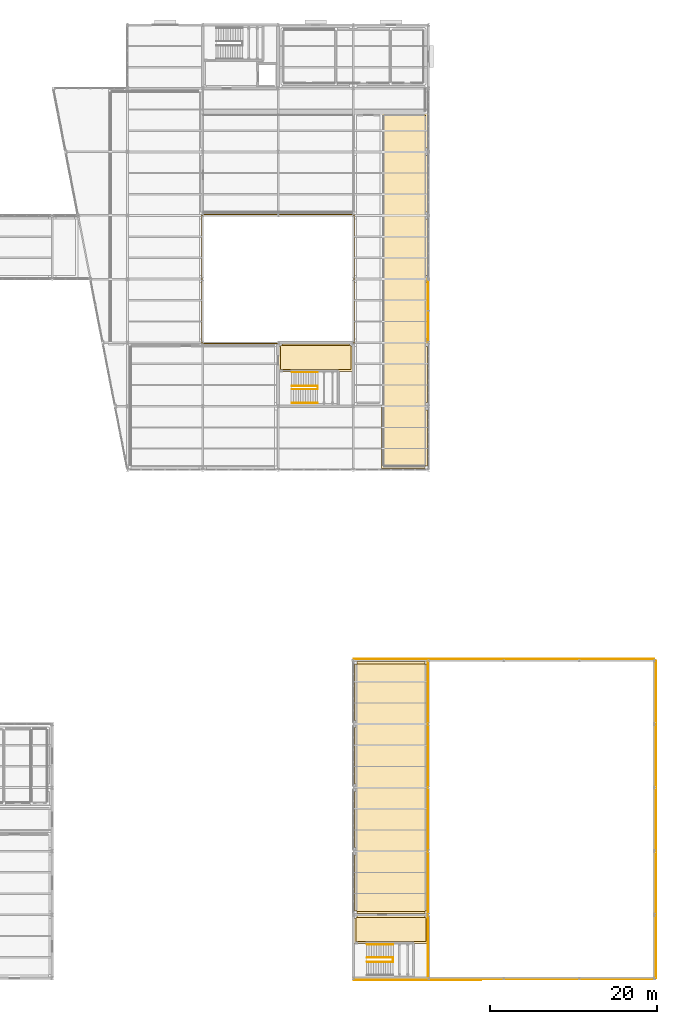
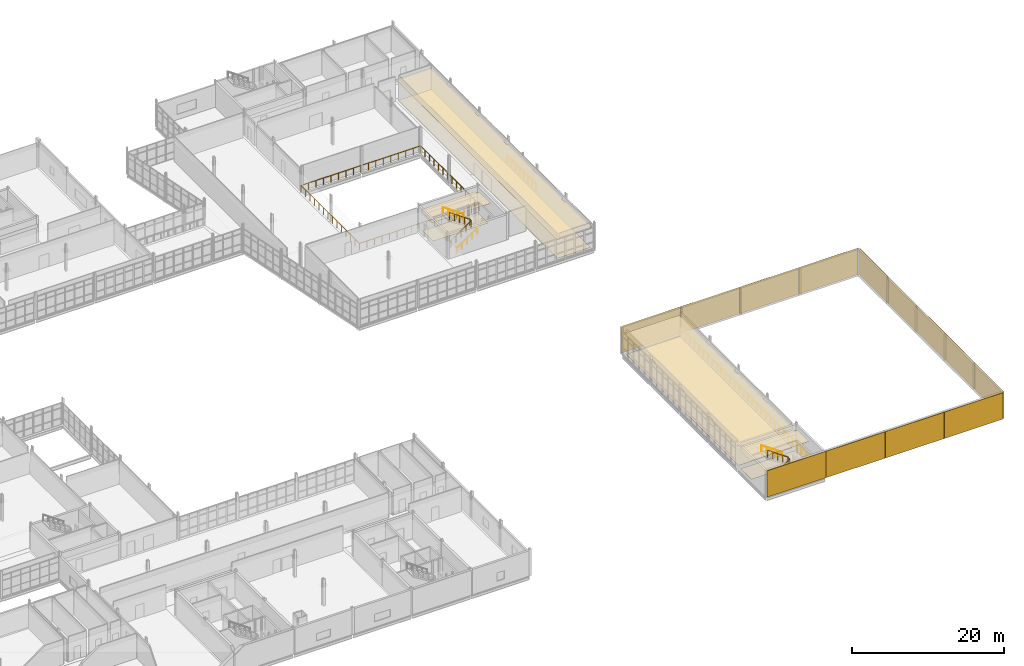
# One storey, part 173 of 174: 21 coverings, 8 railings.
"""IFC4 building model written with IfcOpenShell, lengths in metres."""

from ifc_helpers import new_model, si_unit, direction, frame, origin, origin_2d, place, context, subcontext, project, spatial, polyline, rectangle, circle, outline, extrude, material, layer, layer_set, type_object, element, save


model = new_model("IFC4")

# Units and contexts
model_context = context("Model", 3, precision=1e-05, world=origin(), true_north=direction((0.0, 1.0)))
body_context = subcontext(model_context, "Body", "Model", "MODEL_VIEW")
ifc_project = project(units=[si_unit("LENGTHUNIT", "METRE"), si_unit("AREAUNIT", "SQUARE_METRE"), si_unit("VOLUMEUNIT", "CUBIC_METRE"), si_unit("PLANEANGLEUNIT", "RADIAN"), si_unit("MASSUNIT", "GRAM", prefix="KILO")], contexts=[model_context])

# Site, building, storey
site_placement = place(None, origin())
site = spatial("IfcSite", under=ifc_project, at=site_placement, CompositionType="ELEMENT")
building_placement = place(site_placement, origin())
building = spatial("IfcBuilding", under=site, at=building_placement, Name="Caisbarro Railhouse Central Library", CompositionType="ELEMENT")
storey_placement = place(building_placement, frame((0.0, 0.0, 5.0400390625)))
storey = spatial("IfcBuildingStorey", under=building, at=storey_placement, Name="L01", CompositionType="ELEMENT", Elevation=5.0400390625)

# Coverings
ifc_material_1 = material(Name="Extruded architectural terracotta rainscreen", Category="masonry")
ifc_layer_1 = layer(ifc_material_1, 0.054931640625, Name="Extruded architectural terracotta rainscreen")
ifc_layer_set_1 = layer_set([ifc_layer_1], Name="Extruded architectural terracotta rainscreen")
covering_type_1 = type_object("IfcCoveringType", Name="CLD-TER01", PredefinedType="CLADDING", material=ifc_layer_set_1)
for number, where, z_axis, x_axis, name in (
    (1, (180.17138671875, 3.800048828125, 0.02978515625), (0.0, 0.0, 1.0), (0.0, 1.0, 0.0), "TER01 facade cladding L01-043"),
    (2, (180.17138671875, 11.39990234375, 0.02978515625), (0.0, 0.0, 1.0), (0.0, 1.0, 0.0), "TER01 facade cladding L01-044"),
    (3, (180.17138671875, 19.0, 0.02978515625), (0.0, 0.0, 1.0), (0.0, 1.0, 0.0), "TER01 facade cladding L01-045"),
    (4, (180.17138671875, 26.60009765625, 0.02978515625), (0.0, 0.0, 1.0), (0.0, 1.0, 0.0), "TER01 facade cladding L01-046"),
    (5, (180.17138671875, 34.199951171875, 0.02978515625), (0.0, 0.0, 1.0), (0.0, 1.0, 0.0), "TER01 facade cladding L01-047"),
):
    element("IfcCovering", number, at=place(storey_placement, frame(where, z_axis=z_axis, x_axis=x_axis)), inside=storey, type_object=covering_type_1, Name=name, PredefinedType="CLADDING", context=body_context, shape_type="SweptSolid", body=[
        extrude(rectangle(XDim=7.56005859375, YDim=0.054931640625, at=origin_2d()), origin(), (0.0, 0.0, 1.0), 4.260009765625),
    ])
for number, where, z_axis, x_axis, name in (
    (6, (148.5, -0.17138671875, 0.02978515625), (0.0, 0.0, 1.0), (1.0, 0.0, 0.0), "TER01 facade cladding L01-048"),
    (7, (148.5, 38.17138671875, 0.02978515625), (0.0, 0.0, 1.0), (1.0, 0.0, 0.0), "TER01 facade cladding L01-049"),
    (8, (157.5, -0.17138671875, 0.02978515625), (0.0, 0.0, 1.0), (1.0, 0.0, 0.0), "TER01 facade cladding L01-050"),
    (9, (157.5, 38.17138671875, 0.02978515625), (0.0, 0.0, 1.0), (1.0, 0.0, 0.0), "TER01 facade cladding L01-051"),
    (10, (166.5, -0.17138671875, 0.02978515625), (0.0, 0.0, 1.0), (1.0, 0.0, 0.0), "TER01 facade cladding L01-052"),
    (11, (166.5, 38.17138671875, 0.02978515625), (0.0, 0.0, 1.0), (1.0, 0.0, 0.0), "TER01 facade cladding L01-053"),
    (12, (175.5, -0.17138671875, 0.02978515625), (0.0, 0.0, 1.0), (1.0, 0.0, 0.0), "TER01 facade cladding L01-054"),
    (13, (175.5, 38.17138671875, 0.02978515625), (0.0, 0.0, 1.0), (1.0, 0.0, 0.0), "TER01 facade cladding L01-055"),
):
    element("IfcCovering", number, at=place(storey_placement, frame(where, z_axis=z_axis, x_axis=x_axis)), inside=storey, type_object=covering_type_1, Name=name, PredefinedType="CLADDING", context=body_context, shape_type="SweptSolid", body=[
        extrude(rectangle(XDim=8.9599609375, YDim=0.054931640625, at=origin_2d()), origin(), (0.0, 0.0, 1.0), 4.260009765625),
    ])
ifc_material_2 = material(Name="Perforated mineral-fibre acoustic ceiling tile")
ifc_layer_2 = layer(ifc_material_2, 0.01806640625, Name="Perforated mineral-fibre acoustic ceiling tile")
ifc_layer_set_2 = layer_set([ifc_layer_2], Name="Perforated mineral-fibre acoustic ceiling tile")
covering_type_2 = type_object("IfcCoveringType", Name="COV-CL01", PredefinedType="CEILING", material=ifc_layer_set_2)
covering_1_placement = place(storey_placement, frame((0.0, 0.0, 3.25)))
element("IfcCovering", 14, at=covering_1_placement, inside=storey, type_object=covering_type_2, Name="CL01 acoustic ceiling Stair Lobby K7", PredefinedType="CEILING", context=body_context, shape_type="SweptSolid", body=[
    extrude(outline(polyline([(135.43994140625, 75.56005859375), (135.43994140625, 75.909912109375), (143.56005859375, 75.909912109375), (143.56005859375, 75.56005859375), (143.9599609375, 75.56005859375), (143.9599609375, 72.5400390625), (135.0400390625, 72.5400390625), (135.0400390625, 75.56005859375), (135.43994140625, 75.56005859375)])), origin(), (0.0, 0.0, 1.0), 0.01806640625),
])
covering_2_placement = place(storey_placement, frame((0.0, 0.0, 3.25)))
element("IfcCovering", 15, at=covering_2_placement, inside=storey, type_object=covering_type_2, Name="CL01 acoustic ceiling Stair Lobby K9", PredefinedType="CEILING", context=body_context, shape_type="SweptSolid", body=[
    extrude(outline(polyline([(144.43994140625, 7.159912109375), (144.43994140625, 7.510009765625), (152.56005859375, 7.510009765625), (152.56005859375, 7.159912109375), (152.9599609375, 7.159912109375), (152.9599609375, 4.139892578125), (144.0400390625, 4.139892578125), (144.0400390625, 7.159912109375), (144.43994140625, 7.159912109375)])), origin(), (0.0, 0.0, 1.0), 0.01806640625),
])
covering_3_placement = place(storey_placement, frame((0.0, 0.0, 3.25)))
element("IfcCovering", 16, at=covering_3_placement, inside=storey, type_object=covering_type_2, Name="CL01 acoustic ceiling Graduate Study Carrels L01", PredefinedType="CEILING", context=body_context, shape_type="SweptSolid", body=[
    extrude(outline(polyline([(152.860107421875, 75.56005859375), (152.860107421875, 68.840087890625), (152.56005859375, 68.840087890625), (152.56005859375, 67.9599609375), (152.860107421875, 67.9599609375), (152.860107421875, 61.239990234375), (152.56005859375, 61.239990234375), (152.56005859375, 60.93994140625), (147.340087890625, 60.93994140625), (147.340087890625, 103.4599609375), (152.860107421875, 103.4599609375), (152.860107421875, 99.239990234375), (152.56005859375, 99.239990234375), (152.56005859375, 98.360107421875), (152.860107421875, 98.360107421875), (152.860107421875, 91.639892578125), (152.56005859375, 91.639892578125), (152.56005859375, 90.760009765625), (152.860107421875, 90.760009765625), (152.860107421875, 84.0400390625), (152.56005859375, 84.0400390625), (152.56005859375, 83.159912109375), (152.860107421875, 83.159912109375), (152.860107421875, 76.43994140625), (152.56005859375, 76.43994140625), (152.56005859375, 75.56005859375), (152.860107421875, 75.56005859375)])), origin(), (0.0, 0.0, 1.0), 0.01806640625),
])
covering_4_placement = place(storey_placement, frame((0.0, 0.0, 3.25)))
element("IfcCovering", 17, at=covering_4_placement, inside=storey, type_object=covering_type_2, Name="CL01 acoustic ceiling Auditorium Upper Foyer Corridor", PredefinedType="CEILING", context=body_context, shape_type="SweptSolid", body=[
    extrude(outline(polyline([(144.139892578125, 15.639892578125), (144.139892578125, 22.360107421875), (144.43994140625, 22.360107421875), (144.43994140625, 23.239990234375), (144.139892578125, 23.239990234375), (144.139892578125, 29.9599609375), (144.43994140625, 29.9599609375), (144.43994140625, 30.840087890625), (144.139892578125, 30.840087890625), (144.139892578125, 37.56005859375), (144.43994140625, 37.56005859375), (144.43994140625, 37.860107421875), (152.56005859375, 37.860107421875), (152.56005859375, 37.56005859375), (152.860107421875, 37.56005859375), (152.860107421875, 30.840087890625), (152.56005859375, 30.840087890625), (152.56005859375, 29.9599609375), (152.860107421875, 29.9599609375), (152.860107421875, 23.239990234375), (152.56005859375, 23.239990234375), (152.56005859375, 22.360107421875), (152.860107421875, 22.360107421875), (152.860107421875, 15.639892578125), (152.56005859375, 15.639892578125), (152.56005859375, 14.760009765625), (152.860107421875, 14.760009765625), (152.860107421875, 8.0400390625), (152.56005859375, 8.0400390625), (152.56005859375, 7.739990234375), (144.43994140625, 7.739990234375), (144.43994140625, 8.0400390625), (144.139892578125, 8.0400390625), (144.139892578125, 14.760009765625), (144.43994140625, 14.760009765625), (144.43994140625, 15.639892578125), (144.139892578125, 15.639892578125)])), origin(), (0.0, 0.0, 1.0), 0.01806640625),
])
ifc_material_3 = material(Name="Polished cementitious terrazzo flooring")
ifc_layer_3 = layer(ifc_material_3, 0.02197265625, Name="Polished cementitious terrazzo flooring")
ifc_layer_set_3 = layer_set([ifc_layer_3], Name="Polished cementitious terrazzo flooring")
covering_type_3 = type_object("IfcCoveringType", Name="COV-FL01", PredefinedType="FLOORING", material=ifc_layer_set_3)
covering_5_placement = place(storey_placement, origin())
element("IfcCovering", 18, at=covering_5_placement, inside=storey, type_object=covering_type_3, Name="FL01 flooring Stair Lobby K7", PredefinedType="FLOORING", context=body_context, shape_type="SweptSolid", body=[
    extrude(outline(polyline([(135.300048828125, 72.800048828125), (143.699951171875, 72.800048828125), (143.699951171875, 75.64990234375), (135.300048828125, 75.64990234375), (135.300048828125, 72.800048828125)])), origin(), (0.0, 0.0, 1.0), 0.02197265625),
])
covering_6_placement = place(storey_placement, origin())
element("IfcCovering", 19, at=covering_6_placement, inside=storey, type_object=covering_type_3, Name="FL01 flooring Stair Lobby K9", PredefinedType="FLOORING", context=body_context, shape_type="SweptSolid", body=[
    extrude(outline(polyline([(144.300048828125, 4.39990234375), (152.699951171875, 4.39990234375), (152.699951171875, 7.25), (144.300048828125, 7.25), (144.300048828125, 4.39990234375)])), origin(), (0.0, 0.0, 1.0), 0.02197265625),
])
covering_7_placement = place(storey_placement, origin())
element("IfcCovering", 20, at=covering_7_placement, inside=storey, type_object=covering_type_3, Name="FL01 flooring Auditorium Upper Foyer Corridor", PredefinedType="FLOORING", context=body_context, shape_type="SweptSolid", body=[
    extrude(outline(polyline([(144.39990234375, 8.0), (152.60009765625, 8.0), (152.60009765625, 37.60009765625), (144.39990234375, 37.60009765625), (144.39990234375, 8.0)])), origin(), (0.0, 0.0, 1.0), 0.02197265625),
])
ifc_material_4 = material(Name="Heavy-duty acoustic linoleum flooring")
ifc_layer_4 = layer(ifc_material_4, 0.011962890625, Name="Heavy-duty acoustic linoleum flooring")
ifc_layer_set_4 = layer_set([ifc_layer_4], Name="Heavy-duty acoustic linoleum flooring")
covering_type_4 = type_object("IfcCoveringType", Name="COV-FL02", PredefinedType="FLOORING", material=ifc_layer_set_4)
covering_8_placement = place(storey_placement, origin())
element("IfcCovering", 21, at=covering_8_placement, inside=storey, type_object=covering_type_4, Name="FL02 flooring Graduate Study Carrels L01", PredefinedType="FLOORING", context=body_context, shape_type="SweptSolid", body=[
    extrude(outline(polyline([(147.60009765625, 61.199951171875), (152.60009765625, 61.199951171875), (152.60009765625, 103.199951171875), (147.60009765625, 103.199951171875), (147.60009765625, 61.199951171875)])), origin(), (0.0, 0.0, 1.0), 0.011962890625),
])

# Railings
ifc_material_5 = material(Name="Laminated safety glass balustrade with stainless top rail", Category="glass")
railing_type_1 = type_object("IfcRailingType", Name="RLG-ATR112", PredefinedType="GUARDRAIL", material=ifc_material_5)
railing_1_placement = place(storey_placement, frame((125.89990234375, 75.89990234375, 0.0)))
element("IfcRailing", 22, at=railing_1_placement, inside=storey, type_object=railing_type_1, Name="RG02 Interior Void Balustrade L01-01", PredefinedType="GUARDRAIL", context=body_context, shape_type="SweptSolid", body=[
    extrude(circle(Radius=0.02392578125, at=origin_2d()), frame((0.0, 0.0, 1.09619140625), z_axis=(1.0, 0.0, 0.0), x_axis=(0.0, 1.0, 0.0)), (0.0, 0.0, 1.0), 18.2001953125),
    extrude(circle(Radius=0.02392578125, at=origin_2d()), frame((18.2001953125, 0.0, 1.09619140625), z_axis=(0.0, 1.0, 0.0), x_axis=(-1.0, 0.0, 0.0)), (0.0, 0.0, 1.0), 15.400146484375),
    extrude(circle(Radius=0.02392578125, at=origin_2d()), frame((18.2001953125, 15.400146484375, 1.09619140625), z_axis=(-1.0, 0.0, 0.0), x_axis=(0.0, -1.0, 0.0)), (0.0, 0.0, 1.0), 18.2001953125),
    extrude(circle(Radius=0.02392578125, at=origin_2d()), frame((0.0, 15.400146484375, 1.09619140625), z_axis=(0.0, -1.0, 0.0), x_axis=(1.0, 0.0, 0.0)), (0.0, 0.0, 1.0), 15.400146484375),
    extrude(circle(Radius=0.02099609375, at=origin_2d()), origin(), (0.0, 0.0, 1.0), 1.072021484375),
    extrude(circle(Radius=0.02099609375, at=origin_2d()), frame((1.137451171875, 0.0, 0.0)), (0.0, 0.0, 1.0), 1.072021484375),
    extrude(circle(Radius=0.02099609375, at=origin_2d()), frame((2.27490234375, 0.0, 0.0)), (0.0, 0.0, 1.0), 1.072021484375),
    extrude(circle(Radius=0.02099609375, at=origin_2d()), frame((3.41259765625, 0.0, 0.0)), (0.0, 0.0, 1.0), 1.072021484375),
    extrude(circle(Radius=0.02099609375, at=origin_2d()), frame((4.550048828125, 0.0, 0.0)), (0.0, 0.0, 1.0), 1.072021484375),
    extrude(circle(Radius=0.02099609375, at=origin_2d()), frame((5.6875, 0.0, 0.0)), (0.0, 0.0, 1.0), 1.072021484375),
    extrude(circle(Radius=0.02099609375, at=origin_2d()), frame((6.8251953125, 0.0, 0.0)), (0.0, 0.0, 1.0), 1.072021484375),
    extrude(circle(Radius=0.02099609375, at=origin_2d()), frame((7.962646484375, 0.0, 0.0)), (0.0, 0.0, 1.0), 1.072021484375),
    extrude(circle(Radius=0.02099609375, at=origin_2d()), frame((9.10009765625, 0.0, 0.0)), (0.0, 0.0, 1.0), 1.072021484375),
    extrude(circle(Radius=0.02099609375, at=origin_2d()), frame((10.237548828125, 0.0, 0.0)), (0.0, 0.0, 1.0), 1.072021484375),
    extrude(circle(Radius=0.02099609375, at=origin_2d()), frame((11.375, 0.0, 0.0)), (0.0, 0.0, 1.0), 1.072021484375),
    extrude(circle(Radius=0.02099609375, at=origin_2d()), frame((12.5126953125, 0.0, 0.0)), (0.0, 0.0, 1.0), 1.072021484375),
    extrude(circle(Radius=0.02099609375, at=origin_2d()), frame((13.650146484375, 0.0, 0.0)), (0.0, 0.0, 1.0), 1.072021484375),
    extrude(circle(Radius=0.02099609375, at=origin_2d()), frame((14.78759765625, 0.0, 0.0)), (0.0, 0.0, 1.0), 1.072021484375),
    extrude(circle(Radius=0.02099609375, at=origin_2d()), frame((15.92529296875, 0.0, 0.0)), (0.0, 0.0, 1.0), 1.072021484375),
    extrude(circle(Radius=0.02099609375, at=origin_2d()), frame((17.062744140625, 0.0, 0.0)), (0.0, 0.0, 1.0), 1.072021484375),
    extrude(circle(Radius=0.02099609375, at=origin_2d()), frame((18.2001953125, 0.0, 0.0)), (0.0, 0.0, 1.0), 1.072021484375),
    extrude(circle(Radius=0.02099609375, at=origin_2d()), frame((18.2001953125, 1.1845703125, 0.0)), (0.0, 0.0, 1.0), 1.072021484375),
    extrude(circle(Radius=0.02099609375, at=origin_2d()), frame((18.2001953125, 2.369140625, 0.0)), (0.0, 0.0, 1.0), 1.072021484375),
    extrude(circle(Radius=0.02099609375, at=origin_2d()), frame((18.2001953125, 3.553955078125, 0.0)), (0.0, 0.0, 1.0), 1.072021484375),
    extrude(circle(Radius=0.02099609375, at=origin_2d()), frame((18.2001953125, 4.738525390625, 0.0)), (0.0, 0.0, 1.0), 1.072021484375),
    extrude(circle(Radius=0.02099609375, at=origin_2d()), frame((18.2001953125, 5.923095703125, 0.0)), (0.0, 0.0, 1.0), 1.072021484375),
    extrude(circle(Radius=0.02099609375, at=origin_2d()), frame((18.2001953125, 7.107666015625, 0.0)), (0.0, 0.0, 1.0), 1.072021484375),
    extrude(circle(Radius=0.02099609375, at=origin_2d()), frame((18.2001953125, 8.29248046875, 0.0)), (0.0, 0.0, 1.0), 1.072021484375),
    extrude(circle(Radius=0.02099609375, at=origin_2d()), frame((18.2001953125, 9.47705078125, 0.0)), (0.0, 0.0, 1.0), 1.072021484375),
    extrude(circle(Radius=0.02099609375, at=origin_2d()), frame((18.2001953125, 10.66162109375, 0.0)), (0.0, 0.0, 1.0), 1.072021484375),
    extrude(circle(Radius=0.02099609375, at=origin_2d()), frame((18.2001953125, 11.84619140625, 0.0)), (0.0, 0.0, 1.0), 1.072021484375),
    extrude(circle(Radius=0.02099609375, at=origin_2d()), frame((18.2001953125, 13.031005859375, 0.0)), (0.0, 0.0, 1.0), 1.072021484375),
    extrude(circle(Radius=0.02099609375, at=origin_2d()), frame((18.2001953125, 14.215576171875, 0.0)), (0.0, 0.0, 1.0), 1.072021484375),
    extrude(circle(Radius=0.02099609375, at=origin_2d()), frame((18.2001953125, 15.400146484375, 0.0)), (0.0, 0.0, 1.0), 1.072021484375),
    extrude(circle(Radius=0.02099609375, at=origin_2d()), frame((17.062744140625, 15.400146484375, 0.0)), (0.0, 0.0, 1.0), 1.072021484375),
    extrude(circle(Radius=0.02099609375, at=origin_2d()), frame((15.92529296875, 15.400146484375, 0.0)), (0.0, 0.0, 1.0), 1.072021484375),
    extrude(circle(Radius=0.02099609375, at=origin_2d()), frame((14.78759765625, 15.400146484375, 0.0)), (0.0, 0.0, 1.0), 1.072021484375),
    extrude(circle(Radius=0.02099609375, at=origin_2d()), frame((13.650146484375, 15.400146484375, 0.0)), (0.0, 0.0, 1.0), 1.072021484375),
    extrude(circle(Radius=0.02099609375, at=origin_2d()), frame((12.5126953125, 15.400146484375, 0.0)), (0.0, 0.0, 1.0), 1.072021484375),
    extrude(circle(Radius=0.02099609375, at=origin_2d()), frame((11.375, 15.400146484375, 0.0)), (0.0, 0.0, 1.0), 1.072021484375),
    extrude(circle(Radius=0.02099609375, at=origin_2d()), frame((10.237548828125, 15.400146484375, 0.0)), (0.0, 0.0, 1.0), 1.072021484375),
    extrude(circle(Radius=0.02099609375, at=origin_2d()), frame((9.10009765625, 15.400146484375, 0.0)), (0.0, 0.0, 1.0), 1.072021484375),
    extrude(circle(Radius=0.02099609375, at=origin_2d()), frame((7.962646484375, 15.400146484375, 0.0)), (0.0, 0.0, 1.0), 1.072021484375),
    extrude(circle(Radius=0.02099609375, at=origin_2d()), frame((6.8251953125, 15.400146484375, 0.0)), (0.0, 0.0, 1.0), 1.072021484375),
    extrude(circle(Radius=0.02099609375, at=origin_2d()), frame((5.6875, 15.400146484375, 0.0)), (0.0, 0.0, 1.0), 1.072021484375),
    extrude(circle(Radius=0.02099609375, at=origin_2d()), frame((4.550048828125, 15.400146484375, 0.0)), (0.0, 0.0, 1.0), 1.072021484375),
    extrude(circle(Radius=0.02099609375, at=origin_2d()), frame((3.41259765625, 15.400146484375, 0.0)), (0.0, 0.0, 1.0), 1.072021484375),
    extrude(circle(Radius=0.02099609375, at=origin_2d()), frame((2.27490234375, 15.400146484375, 0.0)), (0.0, 0.0, 1.0), 1.072021484375),
    extrude(circle(Radius=0.02099609375, at=origin_2d()), frame((1.137451171875, 15.400146484375, 0.0)), (0.0, 0.0, 1.0), 1.072021484375),
    extrude(circle(Radius=0.02099609375, at=origin_2d()), frame((0.0, 15.400146484375, 0.0)), (0.0, 0.0, 1.0), 1.072021484375),
    extrude(circle(Radius=0.02099609375, at=origin_2d()), frame((0.0, 14.215576171875, 0.0)), (0.0, 0.0, 1.0), 1.072021484375),
    extrude(circle(Radius=0.02099609375, at=origin_2d()), frame((0.0, 13.031005859375, 0.0)), (0.0, 0.0, 1.0), 1.072021484375),
    extrude(circle(Radius=0.02099609375, at=origin_2d()), frame((0.0, 11.84619140625, 0.0)), (0.0, 0.0, 1.0), 1.072021484375),
    extrude(circle(Radius=0.02099609375, at=origin_2d()), frame((0.0, 10.66162109375, 0.0)), (0.0, 0.0, 1.0), 1.072021484375),
    extrude(circle(Radius=0.02099609375, at=origin_2d()), frame((0.0, 9.47705078125, 0.0)), (0.0, 0.0, 1.0), 1.072021484375),
    extrude(circle(Radius=0.02099609375, at=origin_2d()), frame((0.0, 8.29248046875, 0.0)), (0.0, 0.0, 1.0), 1.072021484375),
    extrude(circle(Radius=0.02099609375, at=origin_2d()), frame((0.0, 7.107666015625, 0.0)), (0.0, 0.0, 1.0), 1.072021484375),
    extrude(circle(Radius=0.02099609375, at=origin_2d()), frame((0.0, 5.923095703125, 0.0)), (0.0, 0.0, 1.0), 1.072021484375),
    extrude(circle(Radius=0.02099609375, at=origin_2d()), frame((0.0, 4.738525390625, 0.0)), (0.0, 0.0, 1.0), 1.072021484375),
    extrude(circle(Radius=0.02099609375, at=origin_2d()), frame((0.0, 3.553955078125, 0.0)), (0.0, 0.0, 1.0), 1.072021484375),
    extrude(circle(Radius=0.02099609375, at=origin_2d()), frame((0.0, 2.369140625, 0.0)), (0.0, 0.0, 1.0), 1.072021484375),
    extrude(circle(Radius=0.02099609375, at=origin_2d()), frame((0.0, 1.1845703125, 0.0)), (0.0, 0.0, 1.0), 1.072021484375),
])
railing_2_placement = place(storey_placement, frame((152.89990234375, 0.199951171875, 0.0)))
element("IfcRailing", 23, at=railing_2_placement, inside=storey, type_object=railing_type_1, Name="RG02 Interior Void Balustrade L01-10", PredefinedType="GUARDRAIL", context=body_context, shape_type="SweptSolid", body=[
    extrude(circle(Radius=0.02392578125, at=origin_2d()), frame((0.0, 0.0, 1.09619140625), z_axis=(0.0, 1.0, 0.0), x_axis=(-1.0, 0.0, 0.0)), (0.0, 0.0, 1.0), 37.60009765625),
    extrude(circle(Radius=0.02099609375, at=origin_2d()), origin(), (0.0, 0.0, 1.0), 1.072021484375),
    extrude(circle(Radius=0.02099609375, at=origin_2d()), frame((0.0, 1.175048828125, 0.0)), (0.0, 0.0, 1.0), 1.072021484375),
    extrude(circle(Radius=0.02099609375, at=origin_2d()), frame((0.0, 2.35009765625, 0.0)), (0.0, 0.0, 1.0), 1.072021484375),
    extrude(circle(Radius=0.02099609375, at=origin_2d()), frame((0.0, 3.52490234375, 0.0)), (0.0, 0.0, 1.0), 1.072021484375),
    extrude(circle(Radius=0.02099609375, at=origin_2d()), frame((0.0, 4.699951171875, 0.0)), (0.0, 0.0, 1.0), 1.072021484375),
    extrude(circle(Radius=0.02099609375, at=origin_2d()), frame((0.0, 5.875, 0.0)), (0.0, 0.0, 1.0), 1.072021484375),
    extrude(circle(Radius=0.02099609375, at=origin_2d()), frame((0.0, 7.050048828125, 0.0)), (0.0, 0.0, 1.0), 1.072021484375),
    extrude(circle(Radius=0.02099609375, at=origin_2d()), frame((0.0, 8.22509765625, 0.0)), (0.0, 0.0, 1.0), 1.072021484375),
    extrude(circle(Radius=0.02099609375, at=origin_2d()), frame((0.0, 9.39990234375, 0.0)), (0.0, 0.0, 1.0), 1.072021484375),
    extrude(circle(Radius=0.02099609375, at=origin_2d()), frame((0.0, 10.574951171875, 0.0)), (0.0, 0.0, 1.0), 1.072021484375),
    extrude(circle(Radius=0.02099609375, at=origin_2d()), frame((0.0, 11.75, 0.0)), (0.0, 0.0, 1.0), 1.072021484375),
    extrude(circle(Radius=0.02099609375, at=origin_2d()), frame((0.0, 12.925048828125, 0.0)), (0.0, 0.0, 1.0), 1.072021484375),
    extrude(circle(Radius=0.02099609375, at=origin_2d()), frame((0.0, 14.10009765625, 0.0)), (0.0, 0.0, 1.0), 1.072021484375),
    extrude(circle(Radius=0.02099609375, at=origin_2d()), frame((0.0, 15.275146484375, 0.0)), (0.0, 0.0, 1.0), 1.072021484375),
    extrude(circle(Radius=0.02099609375, at=origin_2d()), frame((0.0, 16.449951171875, 0.0)), (0.0, 0.0, 1.0), 1.072021484375),
    extrude(circle(Radius=0.02099609375, at=origin_2d()), frame((0.0, 17.625, 0.0)), (0.0, 0.0, 1.0), 1.072021484375),
    extrude(circle(Radius=0.02099609375, at=origin_2d()), frame((0.0, 18.800048828125, 0.0)), (0.0, 0.0, 1.0), 1.072021484375),
    extrude(circle(Radius=0.02099609375, at=origin_2d()), frame((0.0, 19.97509765625, 0.0)), (0.0, 0.0, 1.0), 1.072021484375),
    extrude(circle(Radius=0.02099609375, at=origin_2d()), frame((0.0, 21.150146484375, 0.0)), (0.0, 0.0, 1.0), 1.072021484375),
    extrude(circle(Radius=0.02099609375, at=origin_2d()), frame((0.0, 22.324951171875, 0.0)), (0.0, 0.0, 1.0), 1.072021484375),
    extrude(circle(Radius=0.02099609375, at=origin_2d()), frame((0.0, 23.5, 0.0)), (0.0, 0.0, 1.0), 1.072021484375),
    extrude(circle(Radius=0.02099609375, at=origin_2d()), frame((0.0, 24.675048828125, 0.0)), (0.0, 0.0, 1.0), 1.072021484375),
    extrude(circle(Radius=0.02099609375, at=origin_2d()), frame((0.0, 25.85009765625, 0.0)), (0.0, 0.0, 1.0), 1.072021484375),
    extrude(circle(Radius=0.02099609375, at=origin_2d()), frame((0.0, 27.025146484375, 0.0)), (0.0, 0.0, 1.0), 1.072021484375),
    extrude(circle(Radius=0.02099609375, at=origin_2d()), frame((0.0, 28.2001953125, 0.0)), (0.0, 0.0, 1.0), 1.072021484375),
    extrude(circle(Radius=0.02099609375, at=origin_2d()), frame((0.0, 29.375, 0.0)), (0.0, 0.0, 1.0), 1.072021484375),
    extrude(circle(Radius=0.02099609375, at=origin_2d()), frame((0.0, 30.550048828125, 0.0)), (0.0, 0.0, 1.0), 1.072021484375),
    extrude(circle(Radius=0.02099609375, at=origin_2d()), frame((0.0, 31.72509765625, 0.0)), (0.0, 0.0, 1.0), 1.072021484375),
    extrude(circle(Radius=0.02099609375, at=origin_2d()), frame((0.0, 32.900146484375, 0.0)), (0.0, 0.0, 1.0), 1.072021484375),
    extrude(circle(Radius=0.02099609375, at=origin_2d()), frame((0.0, 34.0751953125, 0.0)), (0.0, 0.0, 1.0), 1.072021484375),
    extrude(circle(Radius=0.02099609375, at=origin_2d()), frame((0.0, 35.25, 0.0)), (0.0, 0.0, 1.0), 1.072021484375),
    extrude(circle(Radius=0.02099609375, at=origin_2d()), frame((0.0, 36.425048828125, 0.0)), (0.0, 0.0, 1.0), 1.072021484375),
    extrude(circle(Radius=0.02099609375, at=origin_2d()), frame((0.0, 37.60009765625, 0.0)), (0.0, 0.0, 1.0), 1.072021484375),
])
railing_3_placement = place(storey_placement, frame((152.89990234375, 76.0, 0.0)))
element("IfcRailing", 24, at=railing_3_placement, inside=storey, type_object=railing_type_1, Name="RG02 Interior Void Balustrade L01-31", PredefinedType="GUARDRAIL", context=body_context, shape_type="SweptSolid", body=[
    extrude(circle(Radius=0.02392578125, at=origin_2d()), frame((0.0, 0.0, 1.09619140625), z_axis=(0.0, 1.0, 0.0), x_axis=(-1.0, 0.0, 0.0)), (0.0, 0.0, 1.0), 7.60009765625),
    extrude(circle(Radius=0.02099609375, at=origin_2d()), origin(), (0.0, 0.0, 1.0), 1.072021484375),
    extrude(circle(Radius=0.02099609375, at=origin_2d()), frame((0.0, 1.085693359375, 0.0)), (0.0, 0.0, 1.0), 1.072021484375),
    extrude(circle(Radius=0.02099609375, at=origin_2d()), frame((0.0, 2.17138671875, 0.0)), (0.0, 0.0, 1.0), 1.072021484375),
    extrude(circle(Radius=0.02099609375, at=origin_2d()), frame((0.0, 3.257080078125, 0.0)), (0.0, 0.0, 1.0), 1.072021484375),
    extrude(circle(Radius=0.02099609375, at=origin_2d()), frame((0.0, 4.343017578125, 0.0)), (0.0, 0.0, 1.0), 1.072021484375),
    extrude(circle(Radius=0.02099609375, at=origin_2d()), frame((0.0, 5.4287109375, 0.0)), (0.0, 0.0, 1.0), 1.072021484375),
    extrude(circle(Radius=0.02099609375, at=origin_2d()), frame((0.0, 6.514404296875, 0.0)), (0.0, 0.0, 1.0), 1.072021484375),
    extrude(circle(Radius=0.02099609375, at=origin_2d()), frame((0.0, 7.60009765625, 0.0)), (0.0, 0.0, 1.0), 1.072021484375),
])
ifc_material_6 = material(Name="Brushed stainless steel Grade 316", Category="steel")
railing_type_2 = type_object("IfcRailingType", Name="RLG-STR092", PredefinedType="HANDRAIL", material=ifc_material_6)
railing_4_placement = place(storey_placement, frame((136.64990234375, 68.7900390625, 0.0)))
element("IfcRailing", 25, at=railing_4_placement, inside=storey, type_object=railing_type_2, Name="Stair ST-07 Outer Handrail F1 L01", PredefinedType="HANDRAIL", context=body_context, shape_type="SweptSolid", body=[
    extrude(circle(Radius=0.02392578125, at=origin_2d()), frame((0.0, 0.0, 0.89599609375), z_axis=(0.819624179701, 0.0, 0.572901565759), x_axis=(0.0, 1.0, 0.0)), (0.0, 0.0, 1.0), 3.77001953125),
    extrude(circle(Radius=0.02099609375, at=origin_2d()), origin(), (0.0, 0.0, 1.0), 0.871826171875),
    extrude(circle(Radius=0.02099609375, at=origin_2d()), frame((0.7724609375, 0.0, 0.5400390625)), (0.0, 0.0, 1.0), 0.871826171875),
    extrude(circle(Radius=0.02099609375, at=origin_2d()), frame((1.544921875, 0.0, 1.080078125)), (0.0, 0.0, 1.0), 0.871826171875),
    extrude(circle(Radius=0.02099609375, at=origin_2d()), frame((2.317626953125, 0.0, 1.619873046875)), (0.0, 0.0, 1.0), 0.871826171875),
    extrude(circle(Radius=0.02099609375, at=origin_2d()), frame((3.090087890625, 0.0, 2.159912109375)), (0.0, 0.0, 1.0), 0.871826171875),
])
for number, where, name in (
    (26, (139.739990234375, 72.4599609375, 2.159912109375), "Stair ST-07 Outer Handrail F2 L01"),
    (27, (148.739990234375, 4.06005859375, 2.159912109375), "Stair ST-09 Outer Handrail F2 L01"),
):
    element("IfcRailing", number, at=place(storey_placement, frame(where)), inside=storey, type_object=railing_type_2, Name=name, PredefinedType="HANDRAIL", context=body_context, shape_type="SweptSolid", body=[
        extrude(circle(Radius=0.02392578125, at=origin_2d()), frame((0.0, 0.0, 0.89599609375), z_axis=(-0.819593772312, 0.0, 0.572945065767), x_axis=(0.0, -1.0, 0.0)), (0.0, 0.0, 1.0), 3.770263671875),
        extrude(circle(Radius=0.02099609375, at=origin_2d()), origin(), (0.0, 0.0, 1.0), 0.871826171875),
        extrude(circle(Radius=0.02099609375, at=origin_2d()), frame((-0.7724609375, 0.0, 0.5400390625)), (0.0, 0.0, 1.0), 0.871826171875),
        extrude(circle(Radius=0.02099609375, at=origin_2d()), frame((-1.544921875, 0.0, 1.080078125)), (0.0, 0.0, 1.0), 0.871826171875),
        extrude(circle(Radius=0.02099609375, at=origin_2d()), frame((-2.317626953125, 0.0, 1.6201171875)), (0.0, 0.0, 1.0), 0.871826171875),
        extrude(circle(Radius=0.02099609375, at=origin_2d()), frame((-3.090087890625, 0.0, 2.16015625)), (0.0, 0.0, 1.0), 0.871826171875),
    ])
railing_type_3 = type_object("IfcRailingType", Name="RLG-STR110", PredefinedType="GUARDRAIL", material=ifc_material_6)
railing_5_placement = place(storey_placement, frame((136.64990234375, 70.429931640625, 0.0)))
element("IfcRailing", 28, at=railing_5_placement, inside=storey, type_object=railing_type_3, Name="Stair ST-07 Inner Well Guardrail L01", PredefinedType="GUARDRAIL", context=body_context, shape_type="SweptSolid", body=[
    extrude(circle(Radius=0.02392578125, at=origin_2d()), frame((0.0, 0.0, 1.076171875), z_axis=(0.819624179701, 0.0, 0.572901565759), x_axis=(0.0, 1.0, 0.0)), (0.0, 0.0, 1.0), 3.77001953125),
    extrude(circle(Radius=0.02392578125, at=origin_2d()), frame((3.090087890625, 0.0, 3.23583984375), z_axis=(0.0, 1.0, 0.0), x_axis=(-1.0, 0.0, 0.0)), (0.0, 0.0, 1.0), 0.39013671875),
    extrude(circle(Radius=0.02392578125, at=origin_2d()), frame((3.090087890625, 0.39013671875, 3.23583984375), z_axis=(-0.819593772312, 0.0, 0.572945065767), x_axis=(0.0, -1.0, 0.0)), (0.0, 0.0, 1.0), 3.770263671875),
    extrude(circle(Radius=0.02099609375, at=origin_2d()), origin(), (0.0, 0.0, 1.0), 1.052001953125),
    extrude(circle(Radius=0.02099609375, at=origin_2d()), frame((0.7724609375, 0.0, 0.5400390625)), (0.0, 0.0, 1.0), 1.052001953125),
    extrude(circle(Radius=0.02099609375, at=origin_2d()), frame((1.544921875, 0.0, 1.080078125)), (0.0, 0.0, 1.0), 1.052001953125),
    extrude(circle(Radius=0.02099609375, at=origin_2d()), frame((2.317626953125, 0.0, 1.619873046875)), (0.0, 0.0, 1.0), 1.052001953125),
    extrude(circle(Radius=0.02099609375, at=origin_2d()), frame((3.090087890625, 0.0, 2.159912109375)), (0.0, 0.0, 1.0), 1.052001953125),
    extrude(circle(Radius=0.02099609375, at=origin_2d()), frame((3.090087890625, 0.39013671875, 2.159912109375)), (0.0, 0.0, 1.0), 1.052001953125),
    extrude(circle(Radius=0.02099609375, at=origin_2d()), frame((2.317626953125, 0.39013671875, 2.699951171875)), (0.0, 0.0, 1.0), 1.052001953125),
    extrude(circle(Radius=0.02099609375, at=origin_2d()), frame((1.544921875, 0.39013671875, 3.239990234375)), (0.0, 0.0, 1.0), 1.052001953125),
    extrude(circle(Radius=0.02099609375, at=origin_2d()), frame((0.7724609375, 0.39013671875, 3.780029296875)), (0.0, 0.0, 1.0), 1.052001953125),
    extrude(circle(Radius=0.02099609375, at=origin_2d()), frame((0.0, 0.39013671875, 4.320068359375)), (0.0, 0.0, 1.0), 1.052001953125),
])
railing_6_placement = place(storey_placement, frame((145.64990234375, 1.969970703125, 0.0)))
element("IfcRailing", 29, at=railing_6_placement, inside=storey, type_object=railing_type_3, Name="Stair ST-09 Inner Well Guardrail L01", PredefinedType="GUARDRAIL", context=body_context, shape_type="SweptSolid", body=[
    extrude(circle(Radius=0.02392578125, at=origin_2d()), frame((0.0, 0.0, 1.076171875), z_axis=(0.819624179701, 0.0, 0.572901565759), x_axis=(0.0, 1.0, 0.0)), (0.0, 0.0, 1.0), 3.77001953125),
    extrude(circle(Radius=0.02392578125, at=origin_2d()), frame((3.090087890625, 0.0, 3.23583984375), z_axis=(0.0, 1.0, 0.0), x_axis=(-1.0, 0.0, 0.0)), (0.0, 0.0, 1.0), 0.510009765625),
    extrude(circle(Radius=0.02392578125, at=origin_2d()), frame((3.090087890625, 0.510009765625, 3.23583984375), z_axis=(-0.819593772312, 0.0, 0.572945065767), x_axis=(0.0, -1.0, 0.0)), (0.0, 0.0, 1.0), 3.770263671875),
    extrude(circle(Radius=0.02099609375, at=origin_2d()), origin(), (0.0, 0.0, 1.0), 1.052001953125),
    extrude(circle(Radius=0.02099609375, at=origin_2d()), frame((0.7724609375, 0.0, 0.5400390625)), (0.0, 0.0, 1.0), 1.052001953125),
    extrude(circle(Radius=0.02099609375, at=origin_2d()), frame((1.544921875, 0.0, 1.080078125)), (0.0, 0.0, 1.0), 1.052001953125),
    extrude(circle(Radius=0.02099609375, at=origin_2d()), frame((2.317626953125, 0.0, 1.619873046875)), (0.0, 0.0, 1.0), 1.052001953125),
    extrude(circle(Radius=0.02099609375, at=origin_2d()), frame((3.090087890625, 0.0, 2.159912109375)), (0.0, 0.0, 1.0), 1.052001953125),
    extrude(circle(Radius=0.02099609375, at=origin_2d()), frame((3.090087890625, 0.510009765625, 2.159912109375)), (0.0, 0.0, 1.0), 1.052001953125),
    extrude(circle(Radius=0.02099609375, at=origin_2d()), frame((2.317626953125, 0.510009765625, 2.699951171875)), (0.0, 0.0, 1.0), 1.052001953125),
    extrude(circle(Radius=0.02099609375, at=origin_2d()), frame((1.544921875, 0.510009765625, 3.239990234375)), (0.0, 0.0, 1.0), 1.052001953125),
    extrude(circle(Radius=0.02099609375, at=origin_2d()), frame((0.7724609375, 0.510009765625, 3.780029296875)), (0.0, 0.0, 1.0), 1.052001953125),
    extrude(circle(Radius=0.02099609375, at=origin_2d()), frame((0.0, 0.510009765625, 4.320068359375)), (0.0, 0.0, 1.0), 1.052001953125),
])

save(model, "model.ifc")
